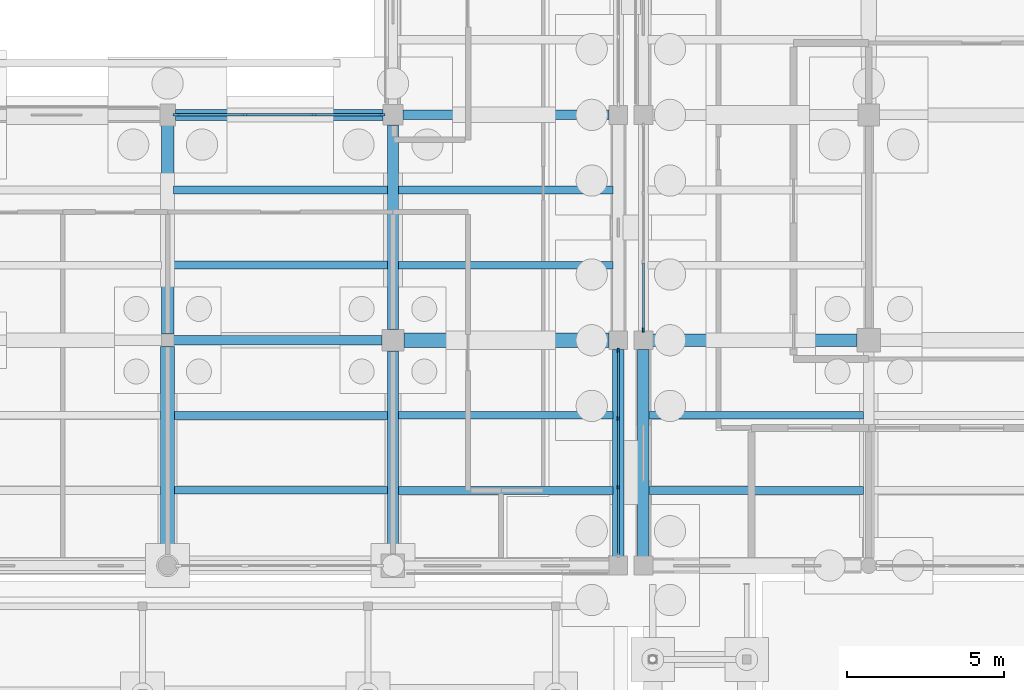
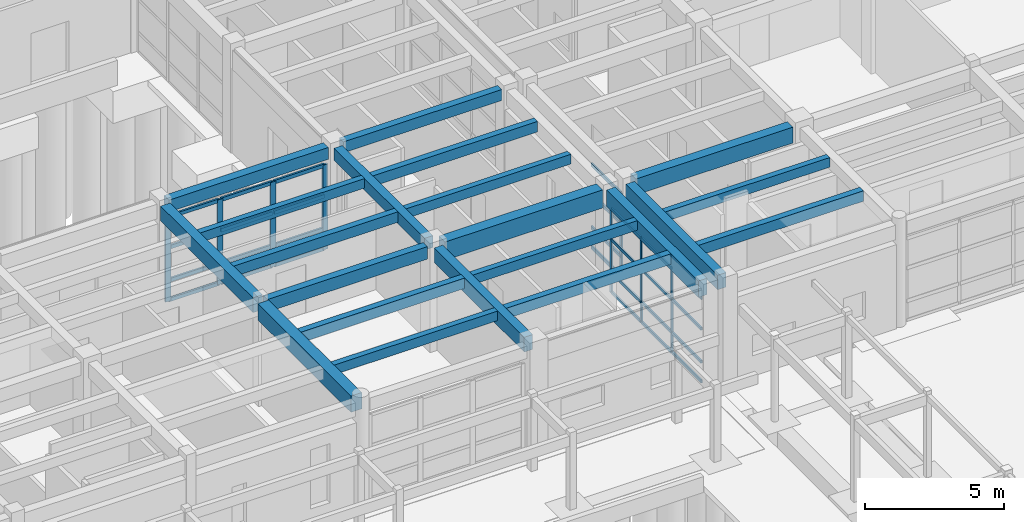
# One storey, part 66 of 143: 36 members, 21 beams, 3 elements without a shape of their own.
"""IFC4 building model written with IfcOpenShell, lengths in metres."""

from ifc_helpers import new_model, si_unit, direction, frame, origin, origin_2d, place, context, subcontext, project, spatial, rectangle, extrude, material, material_profile, profile_set, type_object, element, aggregate, save


model = new_model("IFC4")

# Units and contexts
model_context = context("Model", 3, precision=1e-05, world=origin(), true_north=direction((0.0, 1.0)))
body_context = subcontext(model_context, "Body", "Model", "MODEL_VIEW")
ifc_project = project(units=[si_unit("LENGTHUNIT", "METRE"), si_unit("AREAUNIT", "SQUARE_METRE"), si_unit("VOLUMEUNIT", "CUBIC_METRE"), si_unit("PLANEANGLEUNIT", "RADIAN"), si_unit("MASSUNIT", "GRAM", prefix="KILO")], contexts=[model_context])

# Site, building, storey
site_placement = place(None, origin())
site = spatial("IfcSite", under=ifc_project, at=site_placement, CompositionType="ELEMENT")
building_placement = place(site_placement, origin())
building = spatial("IfcBuilding", under=site, at=building_placement, Name="Steenspoor Specialist Clinic", CompositionType="ELEMENT")
storey_placement = place(building_placement, origin())
storey = spatial("IfcBuildingStorey", under=building, at=storey_placement, Name="L00", CompositionType="ELEMENT", Elevation=0.0)

# Beams
ifc_material_1 = material(Name="Concrete C35/45", Category="concrete")
ifc_material_profile_1 = material_profile(ifc_material_1, rectangle(XDim=0.300048828125, YDim=0.47998046875, at=origin_2d()), Name="RC-BM-300X480")
ifc_profile_set_1 = profile_set([ifc_material_profile_1], Name="Concrete C35/45")
beam_type_1 = type_object("IfcBeamType", Name="BM-RC-300X480", PredefinedType="BEAM", material=ifc_profile_set_1)
beam_1_placement = place(storey_placement, frame((110.320068359375, 79.550048828125, 4.31005859375), z_axis=(1.0, 0.0, 0.0), x_axis=(0.0, 1.0, 0.0)))
element("IfcBeam", 1, at=beam_1_placement, inside=storey, type_object=beam_type_1, Name="BM-V4-L00-X0311", PredefinedType="BEAM", context=body_context, shape_type="SweptSolid", body=[
    extrude(rectangle(XDim=0.300048828125, YDim=0.47998046875, at=origin_2d()), origin(), (0.0, 0.0, 1.0), 6.5849609375),
])
ifc_material_profile_2 = material_profile(ifc_material_1, rectangle(XDim=0.300048828125, YDim=0.550048828125, at=origin_2d()), Name="RC-BM-300X550")
ifc_profile_set_2 = profile_set([ifc_material_profile_2], Name="Concrete C35/45")
beam_type_2 = type_object("IfcBeamType", Name="BM-RC-300X550", PredefinedType="BEAM", material=ifc_profile_set_2)
beam_2_placement = place(storey_placement, frame((102.9951171875, 72.35009765625, 4.27490234375), z_axis=(1.0, 0.0, 0.0), x_axis=(0.0, 1.0, 0.0)))
element("IfcBeam", 2, at=beam_2_placement, inside=storey, type_object=beam_type_2, Name="BM-V4-L00-X0301", PredefinedType="BEAM", context=body_context, shape_type="SweptSolid", body=[
    extrude(rectangle(XDim=0.300048828125, YDim=0.550048828125, at=origin_2d()), origin(), (0.0, 0.0, 1.0), 6.659912109375),
])
ifc_material_profile_3 = material_profile(ifc_material_1, rectangle(XDim=0.35009765625, YDim=0.52001953125, at=origin_2d()), Name="RC-BM-350X520")
ifc_profile_set_3 = profile_set([ifc_material_profile_3], Name="Concrete C35/45")
beam_type_3 = type_object("IfcBeamType", Name="BM-RC-350X520", PredefinedType="BEAM", material=ifc_profile_set_3)
beam_3_placement = place(storey_placement, frame((103.044921875, 79.550048828125, 4.2900390625), z_axis=(1.0, 0.0, 0.0), x_axis=(0.0, 1.0, 0.0)))
element("IfcBeam", 3, at=beam_3_placement, inside=storey, type_object=beam_type_3, Name="BM-V4-L00-X0310", PredefinedType="BEAM", context=body_context, shape_type="SweptSolid", body=[
    extrude(rectangle(XDim=0.35009765625, YDim=0.52001953125, at=origin_2d()), origin(), (0.0, 0.0, 1.0), 6.635009765625),
])
beam_4_placement = place(storey_placement, frame((110.0, 72.695068359375, 4.2900390625), z_axis=(0.0, 1.0, 0.0), x_axis=(-1.0, 0.0, 0.0)))
element("IfcBeam", 4, at=beam_4_placement, inside=storey, type_object=beam_type_3, Name="BM-V4-L00-Y0386", PredefinedType="BEAM", context=body_context, shape_type="SweptSolid", body=[
    extrude(rectangle(XDim=0.35009765625, YDim=0.52001953125, at=origin_2d()), origin(), (0.0, 0.0, 1.0), 6.534912109375),
])
ifc_material_profile_4 = material_profile(ifc_material_1, rectangle(XDim=0.35009765625, YDim=0.64990234375, at=origin_2d()), Name="RC-BM-350X650")
ifc_profile_set_4 = profile_set([ifc_material_profile_4], Name="Concrete C35/45")
beam_type_4 = type_object("IfcBeamType", Name="BM-RC-350X650", PredefinedType="BEAM", material=ifc_profile_set_4)
beam_5_placement = place(storey_placement, frame((110.0, 65.52001953125, 4.22509765625), z_axis=(0.0, 1.0, 0.0), x_axis=(-1.0, 0.0, 0.0)))
element("IfcBeam", 5, at=beam_5_placement, inside=storey, type_object=beam_type_4, Name="BM-V4-L00-Y0385", PredefinedType="BEAM", context=body_context, shape_type="SweptSolid", body=[
    extrude(rectangle(XDim=0.35009765625, YDim=0.64990234375, at=origin_2d()), origin(), (0.0, 0.0, 1.0), 6.48486328125),
])
ifc_material_profile_5 = material_profile(ifc_material_1, rectangle(XDim=0.39990234375, YDim=0.64990234375, at=origin_2d()), Name="RC-BM-400X650")
ifc_profile_set_5 = profile_set([ifc_material_profile_5], Name="Concrete C35/45")
beam_type_5 = type_object("IfcBeamType", Name="BM-RC-400X650", PredefinedType="BEAM", material=ifc_profile_set_5)
beam_6_placement = place(storey_placement, frame((102.800048828125, 72.544921875, 4.22509765625), z_axis=(0.0, 1.0, 0.0), x_axis=(-1.0, 0.0, 0.0)))
element("IfcBeam", 6, at=beam_6_placement, inside=storey, type_object=beam_type_5, Name="BM-V4-L00-Y0382", PredefinedType="BEAM", context=body_context, shape_type="SweptSolid", body=[
    extrude(rectangle(XDim=0.39990234375, YDim=0.64990234375, at=origin_2d()), origin(), (0.0, 0.0, 1.0), 6.66015625),
])
ifc_material_profile_6 = material_profile(ifc_material_1, rectangle(XDim=0.39990234375, YDim=0.699951171875, at=origin_2d()), Name="RC-BM-400X700")
ifc_profile_set_6 = profile_set([ifc_material_profile_6], Name="Concrete C35/45")
beam_type_6 = type_object("IfcBeamType", Name="BM-RC-400X700", PredefinedType="BEAM", material=ifc_profile_set_6)
beam_7_placement = place(storey_placement, frame((118.294921875, 72.35009765625, 4.169921875), z_axis=(1.0, 0.0, 0.0), x_axis=(0.0, 1.0, 0.0)))
element("IfcBeam", 7, at=beam_7_placement, inside=storey, type_object=beam_type_6, Name="BM-V6-L00-X1362", PredefinedType="BEAM", context=body_context, shape_type="SweptSolid", body=[
    extrude(rectangle(XDim=0.39990234375, YDim=0.699951171875, at=origin_2d()), origin(), (0.0, 0.0, 1.0), 6.53515625),
])
ifc_material_profile_7 = material_profile(ifc_material_1, rectangle(XDim=0.449951171875, YDim=0.719970703125, at=origin_2d()), Name="RC-BM-450X720")
ifc_profile_set_7 = profile_set([ifc_material_profile_7], Name="Concrete C35/45")
beam_type_7 = type_object("IfcBeamType", Name="BM-RC-450X720", PredefinedType="BEAM", material=ifc_profile_set_7)
beam_8_placement = place(storey_placement, frame((102.800048828125, 65.445068359375, 4.18994140625), z_axis=(0.0, 1.0, 0.0), x_axis=(-1.0, 0.0, 0.0)))
element("IfcBeam", 8, at=beam_8_placement, inside=storey, type_object=beam_type_7, Name="BM-V4-L00-Y0381", PredefinedType="BEAM", context=body_context, shape_type="SweptSolid", body=[
    extrude(rectangle(XDim=0.449951171875, YDim=0.719970703125, at=origin_2d()), origin(), (0.0, 0.0, 1.0), 6.7099609375),
])
ifc_material_profile_8 = material_profile(ifc_material_1, rectangle(XDim=0.449951171875, YDim=0.800048828125, at=origin_2d()), Name="RC-BM-450X800")
ifc_profile_set_8 = profile_set([ifc_material_profile_8], Name="Concrete C35/45")
beam_type_8 = type_object("IfcBeamType", Name="BM-RC-450X800", PredefinedType="BEAM", material=ifc_profile_set_8)
beam_9_placement = place(storey_placement, frame((110.344970703125, 72.35009765625, 4.14990234375), z_axis=(1.0, 0.0, 0.0), x_axis=(0.0, 1.0, 0.0)))
element("IfcBeam", 9, at=beam_9_placement, inside=storey, type_object=beam_type_8, Name="BM-V4-L00-X0302", PredefinedType="BEAM", context=body_context, shape_type="SweptSolid", body=[
    extrude(rectangle(XDim=0.449951171875, YDim=0.800048828125, at=origin_2d()), origin(), (0.0, 0.0, 1.0), 6.56005859375),
])

# Curtain wall, members
ifc_material_2 = material(Name="Thermally broken aluminium and low-emissivity glass", Category="aluminium")
curtain_wall_type_1 = type_object("IfcCurtainWallType", Name="CW-L00-660X415", PredefinedType="USERDEFINED", material=ifc_material_2)
curtain_wall_1_placement = place(storey_placement, origin())
curtain_wall_1 = element("IfcCurtainWall", 10, at=curtain_wall_1_placement, inside=storey, type_object=curtain_wall_type_1, Name="Unitised Curtain Wall CW-V4-L00-052", ObjectType="UNITISED GLAZING", PredefinedType="USERDEFINED")
ifc_material_3 = material(Name="Thermally broken aluminium 6063-T6", Category="aluminium")
ifc_material_profile_9 = material_profile(ifc_material_3, rectangle(XDim=0.06005859375, YDim=0.135009765625, at=origin_2d()), Name="CWM-60X135")
ifc_profile_set_9 = profile_set([ifc_material_profile_9], Name="Thermally broken aluminium 6063-T6")
member_type_1 = type_object("IfcMemberType", Name="CW-MULL-60X135", PredefinedType="MULLION", material=ifc_profile_set_9)
member_1_placement = place(storey_placement, frame((117.199951171875, 72.02001953125, 0.0), z_axis=(0.0, 0.0, 1.0), x_axis=(1.0, 0.0, 0.0)))
member_1 = element("IfcMember", 11, at=member_1_placement, type_object=member_type_1, Name="CW-04 mullion 1", PredefinedType="MULLION", context=body_context, shape_type="SweptSolid", body=[
    extrude(rectangle(XDim=0.06005859375, YDim=0.135009765625, at=origin_2d()), origin(), (0.0, 0.0, 1.0), 3.72998046875),
])
member_2_placement = place(storey_placement, frame((117.199951171875, 69.85009765625, 0.0), z_axis=(0.0, 0.0, 1.0), x_axis=(1.0, 0.0, 0.0)))
member_2 = element("IfcMember", 12, at=member_2_placement, type_object=member_type_1, Name="CW-04 mullion 2", PredefinedType="MULLION", context=body_context, shape_type="SweptSolid", body=[
    extrude(rectangle(XDim=0.06005859375, YDim=0.135009765625, at=origin_2d()), origin(), (0.0, 0.0, 1.0), 3.72998046875),
])
member_3_placement = place(storey_placement, frame((117.199951171875, 67.64990234375, 0.0), z_axis=(0.0, 0.0, 1.0), x_axis=(1.0, 0.0, 0.0)))
member_3 = element("IfcMember", 13, at=member_3_placement, type_object=member_type_1, Name="CW-04 mullion 3", PredefinedType="MULLION", context=body_context, shape_type="SweptSolid", body=[
    extrude(rectangle(XDim=0.06005859375, YDim=0.135009765625, at=origin_2d()), origin(), (0.0, 0.0, 1.0), 3.72998046875),
])

# Curtain wall, member
curtain_wall_type_2 = type_object("IfcCurtainWallType", Name="CW-WLK-360X340", PredefinedType="USERDEFINED", material=ifc_material_2)
curtain_wall_2_placement = place(storey_placement, origin())
curtain_wall_2 = element("IfcCurtainWall", 14, at=curtain_wall_2_placement, inside=storey, type_object=curtain_wall_type_2, Name="Unitised Curtain Wall CW-V6-L00-166", ObjectType="UNITISED GLAZING", PredefinedType="USERDEFINED")
member_4_placement = place(storey_placement, frame((118.0, 72.679931640625, 0.0), z_axis=(0.0, 0.0, 1.0), x_axis=(-1.0, 0.0, 0.0)))
member_4 = element("IfcMember", 15, at=member_4_placement, type_object=member_type_1, Name="CW-22 mullion 1", PredefinedType="MULLION", context=body_context, shape_type="SweptSolid", body=[
    extrude(rectangle(XDim=0.06005859375, YDim=0.135009765625, at=origin_2d()), origin(), (0.0, 0.0, 1.0), 3.699951171875),
])

# Curtain wall, members
curtain_wall_type_3 = type_object("IfcCurtainWallType", Name="CW-TYP-480X355", PredefinedType="USERDEFINED", material=ifc_material_2)
curtain_wall_3_placement = place(storey_placement, origin())
curtain_wall_3 = element("IfcCurtainWall", 16, at=curtain_wall_3_placement, inside=storey, type_object=curtain_wall_type_3, Name="Unitised Curtain Wall CW-V4-L00-060", ObjectType="UNITISED GLAZING", PredefinedType="USERDEFINED")
ifc_material_profile_10 = material_profile(ifc_material_3, rectangle(XDim=0.080078125, YDim=0.219970703125, at=origin_2d()), Name="CWM-80X220")
ifc_profile_set_10 = profile_set([ifc_material_profile_10], Name="Thermally broken aluminium 6063-T6")
member_type_2 = type_object("IfcMemberType", Name="CW-MULL-80X220", PredefinedType="MULLION", material=ifc_profile_set_10)
member_5_placement = place(storey_placement, frame((103.090087890625, 79.550048828125, 0.0), z_axis=(0.0, 0.0, 1.0), x_axis=(0.0, 1.0, 0.0)))
member_5 = element("IfcMember", 17, at=member_5_placement, type_object=member_type_2, Name="CW-12 mullion 1", PredefinedType="MULLION", context=body_context, shape_type="SweptSolid", body=[
    extrude(rectangle(XDim=0.080078125, YDim=0.219970703125, at=origin_2d()), origin(), (0.0, 0.0, 1.0), 3.72998046875),
])
member_6_placement = place(storey_placement, frame((105.25830078125, 79.550048828125, 0.0), z_axis=(0.0, 0.0, 1.0), x_axis=(0.0, 1.0, 0.0)))
member_6 = element("IfcMember", 18, at=member_6_placement, type_object=member_type_2, Name="CW-12 mullion 2", PredefinedType="MULLION", context=body_context, shape_type="SweptSolid", body=[
    extrude(rectangle(XDim=0.080078125, YDim=0.219970703125, at=origin_2d()), origin(), (0.0, 0.0, 1.0), 3.72998046875),
])
member_7_placement = place(storey_placement, frame((107.466552734375, 79.550048828125, 0.0), z_axis=(0.0, 0.0, 1.0), x_axis=(0.0, 1.0, 0.0)))
member_7 = element("IfcMember", 19, at=member_7_placement, type_object=member_type_2, Name="CW-12 mullion 3", PredefinedType="MULLION", context=body_context, shape_type="SweptSolid", body=[
    extrude(rectangle(XDim=0.080078125, YDim=0.219970703125, at=origin_2d()), origin(), (0.0, 0.0, 1.0), 3.72998046875),
])
member_8_placement = place(storey_placement, frame((109.635009765625, 79.550048828125, 0.0), z_axis=(0.0, 0.0, 1.0), x_axis=(0.0, 1.0, 0.0)))
member_8 = element("IfcMember", 20, at=member_8_placement, type_object=member_type_2, Name="CW-12 mullion 4", PredefinedType="MULLION", context=body_context, shape_type="SweptSolid", body=[
    extrude(rectangle(XDim=0.080078125, YDim=0.219970703125, at=origin_2d()), origin(), (0.0, 0.0, 1.0), 3.72998046875),
])

# Member
ifc_material_profile_11 = material_profile(ifc_material_3, rectangle(XDim=0.06494140625, YDim=0.1298828125, at=origin_2d()), Name="CWT-65X130")
ifc_profile_set_11 = profile_set([ifc_material_profile_11], Name="Thermally broken aluminium 6063-T6")
member_type_3 = type_object("IfcMemberType", Name="CW-TRAN-65X130", PredefinedType="USERDEFINED", material=ifc_profile_set_11)
member_9_placement = place(storey_placement, frame((117.199951171875, 71.989990234375, 0.032470703125), z_axis=(0.0, -1.0, 0.0), x_axis=(1.0, 0.0, 0.0)))
member_9 = element("IfcMember", 21, at=member_9_placement, type_object=member_type_3, Name="CW-04 transom 1.1", ObjectType="TRANSOM", PredefinedType="USERDEFINED", context=body_context, shape_type="SweptSolid", body=[
    extrude(rectangle(XDim=0.06494140625, YDim=0.1298828125, at=origin_2d()), origin(), (0.0, 0.0, 1.0), 2.110107421875),
])

member_10_placement = place(storey_placement, frame((117.199951171875, 71.989990234375, 0.89990234375), z_axis=(0.0, -1.0, 0.0), x_axis=(1.0, 0.0, 0.0)))
member_10 = element("IfcMember", 22, at=member_10_placement, type_object=member_type_3, Name="CW-04 transom 1.2", ObjectType="TRANSOM", PredefinedType="USERDEFINED", context=body_context, shape_type="SweptSolid", body=[
    extrude(rectangle(XDim=0.06494140625, YDim=0.1298828125, at=origin_2d()), origin(), (0.0, 0.0, 1.0), 2.110107421875),
])

member_11_placement = place(storey_placement, frame((117.199951171875, 71.989990234375, 2.35009765625), z_axis=(0.0, -1.0, 0.0), x_axis=(1.0, 0.0, 0.0)))
member_11 = element("IfcMember", 23, at=member_11_placement, type_object=member_type_3, Name="CW-04 transom 1.3", ObjectType="TRANSOM", PredefinedType="USERDEFINED", context=body_context, shape_type="SweptSolid", body=[
    extrude(rectangle(XDim=0.06494140625, YDim=0.1298828125, at=origin_2d()), origin(), (0.0, 0.0, 1.0), 2.110107421875),
])

member_12_placement = place(storey_placement, frame((117.199951171875, 71.989990234375, 3.697509765625), z_axis=(0.0, -1.0, 0.0), x_axis=(1.0, 0.0, 0.0)))
member_12 = element("IfcMember", 24, at=member_12_placement, type_object=member_type_3, Name="CW-04 transom 1.4", ObjectType="TRANSOM", PredefinedType="USERDEFINED", context=body_context, shape_type="SweptSolid", body=[
    extrude(rectangle(XDim=0.06494140625, YDim=0.1298828125, at=origin_2d()), origin(), (0.0, 0.0, 1.0), 2.110107421875),
])

member_13_placement = place(storey_placement, frame((117.199951171875, 69.820068359375, 0.032470703125), z_axis=(0.0, -1.0, 0.0), x_axis=(1.0, 0.0, 0.0)))
member_13 = element("IfcMember", 25, at=member_13_placement, type_object=member_type_3, Name="CW-04 transom 2.1", ObjectType="TRANSOM", PredefinedType="USERDEFINED", context=body_context, shape_type="SweptSolid", body=[
    extrude(rectangle(XDim=0.06494140625, YDim=0.1298828125, at=origin_2d()), origin(), (0.0, 0.0, 1.0), 2.14013671875),
])

member_14_placement = place(storey_placement, frame((117.199951171875, 69.820068359375, 0.89990234375), z_axis=(0.0, -1.0, 0.0), x_axis=(1.0, 0.0, 0.0)))
member_14 = element("IfcMember", 26, at=member_14_placement, type_object=member_type_3, Name="CW-04 transom 2.2", ObjectType="TRANSOM", PredefinedType="USERDEFINED", context=body_context, shape_type="SweptSolid", body=[
    extrude(rectangle(XDim=0.06494140625, YDim=0.1298828125, at=origin_2d()), origin(), (0.0, 0.0, 1.0), 2.14013671875),
])

member_15_placement = place(storey_placement, frame((117.199951171875, 69.820068359375, 2.35009765625), z_axis=(0.0, -1.0, 0.0), x_axis=(1.0, 0.0, 0.0)))
member_15 = element("IfcMember", 27, at=member_15_placement, type_object=member_type_3, Name="CW-04 transom 2.3", ObjectType="TRANSOM", PredefinedType="USERDEFINED", context=body_context, shape_type="SweptSolid", body=[
    extrude(rectangle(XDim=0.06494140625, YDim=0.1298828125, at=origin_2d()), origin(), (0.0, 0.0, 1.0), 2.14013671875),
])

member_16_placement = place(storey_placement, frame((117.199951171875, 69.820068359375, 3.697509765625), z_axis=(0.0, -1.0, 0.0), x_axis=(1.0, 0.0, 0.0)))
member_16 = element("IfcMember", 28, at=member_16_placement, type_object=member_type_3, Name="CW-04 transom 2.4", ObjectType="TRANSOM", PredefinedType="USERDEFINED", context=body_context, shape_type="SweptSolid", body=[
    extrude(rectangle(XDim=0.06494140625, YDim=0.1298828125, at=origin_2d()), origin(), (0.0, 0.0, 1.0), 2.14013671875),
])

member_17_placement = place(storey_placement, frame((117.199951171875, 67.6201171875, 0.032470703125), z_axis=(0.0, -1.0, 0.0), x_axis=(1.0, 0.0, 0.0)))
member_17 = element("IfcMember", 29, at=member_17_placement, type_object=member_type_3, Name="CW-04 transom 3.1", ObjectType="TRANSOM", PredefinedType="USERDEFINED", context=body_context, shape_type="SweptSolid", body=[
    extrude(rectangle(XDim=0.06494140625, YDim=0.1298828125, at=origin_2d()), origin(), (0.0, 0.0, 1.0), 2.110107421875),
])

member_18_placement = place(storey_placement, frame((117.199951171875, 67.6201171875, 0.89990234375), z_axis=(0.0, -1.0, 0.0), x_axis=(1.0, 0.0, 0.0)))
member_18 = element("IfcMember", 30, at=member_18_placement, type_object=member_type_3, Name="CW-04 transom 3.2", ObjectType="TRANSOM", PredefinedType="USERDEFINED", context=body_context, shape_type="SweptSolid", body=[
    extrude(rectangle(XDim=0.06494140625, YDim=0.1298828125, at=origin_2d()), origin(), (0.0, 0.0, 1.0), 2.110107421875),
])

member_19_placement = place(storey_placement, frame((117.199951171875, 67.6201171875, 2.35009765625), z_axis=(0.0, -1.0, 0.0), x_axis=(1.0, 0.0, 0.0)))
member_19 = element("IfcMember", 31, at=member_19_placement, type_object=member_type_3, Name="CW-04 transom 3.3", ObjectType="TRANSOM", PredefinedType="USERDEFINED", context=body_context, shape_type="SweptSolid", body=[
    extrude(rectangle(XDim=0.06494140625, YDim=0.1298828125, at=origin_2d()), origin(), (0.0, 0.0, 1.0), 2.110107421875),
])

member_20_placement = place(storey_placement, frame((117.199951171875, 67.6201171875, 3.697509765625), z_axis=(0.0, -1.0, 0.0), x_axis=(1.0, 0.0, 0.0)))
member_20 = element("IfcMember", 32, at=member_20_placement, type_object=member_type_3, Name="CW-04 transom 3.4", ObjectType="TRANSOM", PredefinedType="USERDEFINED", context=body_context, shape_type="SweptSolid", body=[
    extrude(rectangle(XDim=0.06494140625, YDim=0.1298828125, at=origin_2d()), origin(), (0.0, 0.0, 1.0), 2.110107421875),
])

aggregate(curtain_wall_1, [member_1, member_2, member_3, member_9, member_10, member_11, member_12, member_13, member_14, member_15, member_16, member_17, member_18, member_19, member_20])

ifc_material_profile_12 = material_profile(ifc_material_3, rectangle(XDim=0.070068359375, YDim=0.14501953125, at=origin_2d()), Name="CWT-70X145")
ifc_profile_set_12 = profile_set([ifc_material_profile_12], Name="Thermally broken aluminium 6063-T6")
member_type_4 = type_object("IfcMemberType", Name="CW-TRAN-70X145", PredefinedType="USERDEFINED", material=ifc_profile_set_12)
member_21_placement = place(storey_placement, frame((118.0, 72.7099609375, 0.034912109375), z_axis=(0.0, 1.0, 0.0), x_axis=(-1.0, 0.0, 0.0)))
member_21 = element("IfcMember", 33, at=member_21_placement, type_object=member_type_4, Name="CW-22 transom 1.1", ObjectType="TRANSOM", PredefinedType="USERDEFINED", context=body_context, shape_type="SweptSolid", body=[
    extrude(rectangle(XDim=0.070068359375, YDim=0.14501953125, at=origin_2d()), origin(), (0.0, 0.0, 1.0), 2.110107421875),
])

member_22_placement = place(storey_placement, frame((118.0, 72.7099609375, 0.89990234375), z_axis=(0.0, 1.0, 0.0), x_axis=(-1.0, 0.0, 0.0)))
member_22 = element("IfcMember", 34, at=member_22_placement, type_object=member_type_4, Name="CW-22 transom 1.2", ObjectType="TRANSOM", PredefinedType="USERDEFINED", context=body_context, shape_type="SweptSolid", body=[
    extrude(rectangle(XDim=0.070068359375, YDim=0.14501953125, at=origin_2d()), origin(), (0.0, 0.0, 1.0), 2.110107421875),
])

member_23_placement = place(storey_placement, frame((118.0, 72.7099609375, 2.35009765625), z_axis=(0.0, 1.0, 0.0), x_axis=(-1.0, 0.0, 0.0)))
member_23 = element("IfcMember", 35, at=member_23_placement, type_object=member_type_4, Name="CW-22 transom 1.3", ObjectType="TRANSOM", PredefinedType="USERDEFINED", context=body_context, shape_type="SweptSolid", body=[
    extrude(rectangle(XDim=0.070068359375, YDim=0.14501953125, at=origin_2d()), origin(), (0.0, 0.0, 1.0), 2.110107421875),
])

member_24_placement = place(storey_placement, frame((118.0, 72.7099609375, 3.6650390625), z_axis=(0.0, 1.0, 0.0), x_axis=(-1.0, 0.0, 0.0)))
member_24 = element("IfcMember", 36, at=member_24_placement, type_object=member_type_4, Name="CW-22 transom 1.4", ObjectType="TRANSOM", PredefinedType="USERDEFINED", context=body_context, shape_type="SweptSolid", body=[
    extrude(rectangle(XDim=0.070068359375, YDim=0.14501953125, at=origin_2d()), origin(), (0.0, 0.0, 1.0), 2.110107421875),
])

aggregate(curtain_wall_2, [member_4, member_21, member_22, member_23, member_24])

ifc_material_profile_13 = material_profile(ifc_material_3, rectangle(XDim=0.080078125, YDim=0.159912109375, at=origin_2d()), Name="CWT-80X160")
ifc_profile_set_13 = profile_set([ifc_material_profile_13], Name="Thermally broken aluminium 6063-T6")
member_type_5 = type_object("IfcMemberType", Name="CW-TRAN-80X160", PredefinedType="USERDEFINED", material=ifc_profile_set_13)
member_25_placement = place(storey_placement, frame((103.1298828125, 79.550048828125, 0.0400390625), z_axis=(1.0, 0.0, 0.0), x_axis=(0.0, 1.0, 0.0)))
member_25 = element("IfcMember", 37, at=member_25_placement, type_object=member_type_5, Name="CW-12 transom 1.1", ObjectType="TRANSOM", PredefinedType="USERDEFINED", context=body_context, shape_type="SweptSolid", body=[
    extrude(rectangle(XDim=0.080078125, YDim=0.159912109375, at=origin_2d()), origin(), (0.0, 0.0, 1.0), 2.08837890625),
])

member_26_placement = place(storey_placement, frame((103.1298828125, 79.550048828125, 0.89990234375), z_axis=(1.0, 0.0, 0.0), x_axis=(0.0, 1.0, 0.0)))
member_26 = element("IfcMember", 38, at=member_26_placement, type_object=member_type_5, Name="CW-12 transom 1.2", ObjectType="TRANSOM", PredefinedType="USERDEFINED", context=body_context, shape_type="SweptSolid", body=[
    extrude(rectangle(XDim=0.080078125, YDim=0.159912109375, at=origin_2d()), origin(), (0.0, 0.0, 1.0), 2.08837890625),
])

member_27_placement = place(storey_placement, frame((103.1298828125, 79.550048828125, 2.35009765625), z_axis=(1.0, 0.0, 0.0), x_axis=(0.0, 1.0, 0.0)))
member_27 = element("IfcMember", 39, at=member_27_placement, type_object=member_type_5, Name="CW-12 transom 1.3", ObjectType="TRANSOM", PredefinedType="USERDEFINED", context=body_context, shape_type="SweptSolid", body=[
    extrude(rectangle(XDim=0.080078125, YDim=0.159912109375, at=origin_2d()), origin(), (0.0, 0.0, 1.0), 2.08837890625),
])

member_28_placement = place(storey_placement, frame((103.1298828125, 79.550048828125, 3.68994140625), z_axis=(1.0, 0.0, 0.0), x_axis=(0.0, 1.0, 0.0)))
member_28 = element("IfcMember", 40, at=member_28_placement, type_object=member_type_5, Name="CW-12 transom 1.4", ObjectType="TRANSOM", PredefinedType="USERDEFINED", context=body_context, shape_type="SweptSolid", body=[
    extrude(rectangle(XDim=0.080078125, YDim=0.159912109375, at=origin_2d()), origin(), (0.0, 0.0, 1.0), 2.08837890625),
])

member_29_placement = place(storey_placement, frame((105.29833984375, 79.550048828125, 0.0400390625), z_axis=(1.0, 0.0, 0.0), x_axis=(0.0, 1.0, 0.0)))
member_29 = element("IfcMember", 41, at=member_29_placement, type_object=member_type_5, Name="CW-12 transom 2.1", ObjectType="TRANSOM", PredefinedType="USERDEFINED", context=body_context, shape_type="SweptSolid", body=[
    extrude(rectangle(XDim=0.080078125, YDim=0.159912109375, at=origin_2d()), origin(), (0.0, 0.0, 1.0), 2.12841796875),
])

member_30_placement = place(storey_placement, frame((105.29833984375, 79.550048828125, 0.89990234375), z_axis=(1.0, 0.0, 0.0), x_axis=(0.0, 1.0, 0.0)))
member_30 = element("IfcMember", 42, at=member_30_placement, type_object=member_type_5, Name="CW-12 transom 2.2", ObjectType="TRANSOM", PredefinedType="USERDEFINED", context=body_context, shape_type="SweptSolid", body=[
    extrude(rectangle(XDim=0.080078125, YDim=0.159912109375, at=origin_2d()), origin(), (0.0, 0.0, 1.0), 2.12841796875),
])

member_31_placement = place(storey_placement, frame((105.29833984375, 79.550048828125, 2.35009765625), z_axis=(1.0, 0.0, 0.0), x_axis=(0.0, 1.0, 0.0)))
member_31 = element("IfcMember", 43, at=member_31_placement, type_object=member_type_5, Name="CW-12 transom 2.3", ObjectType="TRANSOM", PredefinedType="USERDEFINED", context=body_context, shape_type="SweptSolid", body=[
    extrude(rectangle(XDim=0.080078125, YDim=0.159912109375, at=origin_2d()), origin(), (0.0, 0.0, 1.0), 2.12841796875),
])

member_32_placement = place(storey_placement, frame((105.29833984375, 79.550048828125, 3.68994140625), z_axis=(1.0, 0.0, 0.0), x_axis=(0.0, 1.0, 0.0)))
member_32 = element("IfcMember", 44, at=member_32_placement, type_object=member_type_5, Name="CW-12 transom 2.4", ObjectType="TRANSOM", PredefinedType="USERDEFINED", context=body_context, shape_type="SweptSolid", body=[
    extrude(rectangle(XDim=0.080078125, YDim=0.159912109375, at=origin_2d()), origin(), (0.0, 0.0, 1.0), 2.12841796875),
])

member_33_placement = place(storey_placement, frame((107.506591796875, 79.550048828125, 0.0400390625), z_axis=(1.0, 0.0, 0.0), x_axis=(0.0, 1.0, 0.0)))
member_33 = element("IfcMember", 45, at=member_33_placement, type_object=member_type_5, Name="CW-12 transom 3.1", ObjectType="TRANSOM", PredefinedType="USERDEFINED", context=body_context, shape_type="SweptSolid", body=[
    extrude(rectangle(XDim=0.080078125, YDim=0.159912109375, at=origin_2d()), origin(), (0.0, 0.0, 1.0), 2.08837890625),
])

member_34_placement = place(storey_placement, frame((107.506591796875, 79.550048828125, 0.89990234375), z_axis=(1.0, 0.0, 0.0), x_axis=(0.0, 1.0, 0.0)))
member_34 = element("IfcMember", 46, at=member_34_placement, type_object=member_type_5, Name="CW-12 transom 3.2", ObjectType="TRANSOM", PredefinedType="USERDEFINED", context=body_context, shape_type="SweptSolid", body=[
    extrude(rectangle(XDim=0.080078125, YDim=0.159912109375, at=origin_2d()), origin(), (0.0, 0.0, 1.0), 2.08837890625),
])

member_35_placement = place(storey_placement, frame((107.506591796875, 79.550048828125, 2.35009765625), z_axis=(1.0, 0.0, 0.0), x_axis=(0.0, 1.0, 0.0)))
member_35 = element("IfcMember", 47, at=member_35_placement, type_object=member_type_5, Name="CW-12 transom 3.3", ObjectType="TRANSOM", PredefinedType="USERDEFINED", context=body_context, shape_type="SweptSolid", body=[
    extrude(rectangle(XDim=0.080078125, YDim=0.159912109375, at=origin_2d()), origin(), (0.0, 0.0, 1.0), 2.08837890625),
])

member_36_placement = place(storey_placement, frame((107.506591796875, 79.550048828125, 3.68994140625), z_axis=(1.0, 0.0, 0.0), x_axis=(0.0, 1.0, 0.0)))
member_36 = element("IfcMember", 48, at=member_36_placement, type_object=member_type_5, Name="CW-12 transom 3.4", ObjectType="TRANSOM", PredefinedType="USERDEFINED", context=body_context, shape_type="SweptSolid", body=[
    extrude(rectangle(XDim=0.080078125, YDim=0.159912109375, at=origin_2d()), origin(), (0.0, 0.0, 1.0), 2.08837890625),
])

aggregate(curtain_wall_3, [member_5, member_6, member_7, member_8, member_25, member_26, member_27, member_28, member_29, member_30, member_31, member_32, member_33, member_34, member_35, member_36])

# Beams
ifc_material_profile_14 = material_profile(ifc_material_1, rectangle(XDim=0.239990234375, YDim=0.419921875, at=origin_2d()), Name="RC-JT-240X420")
ifc_profile_set_14 = profile_set([ifc_material_profile_14], Name="Concrete C35/45")
beam_type_9 = type_object("IfcBeamType", Name="JT-RC-240X420", PredefinedType="JOIST", material=ifc_profile_set_14)
beam_10_placement = place(storey_placement, frame((103.02001953125, 67.550048828125, 4.340087890625), z_axis=(1.0, 0.0, 0.0), x_axis=(0.0, 1.0, 0.0)))
element("IfcBeam", 49, at=beam_10_placement, inside=storey, type_object=beam_type_9, Name="JT-V4-L00-0457", PredefinedType="JOIST", context=body_context, shape_type="SweptSolid", body=[
    extrude(rectangle(XDim=0.239990234375, YDim=0.419921875, at=origin_2d()), origin(), (0.0, 0.0, 1.0), 6.81005859375),
])
beam_11_placement = place(storey_placement, frame((102.9951171875, 77.14990234375, 4.340087890625), z_axis=(1.0, 0.0, 0.0), x_axis=(0.0, 1.0, 0.0)))
element("IfcBeam", 50, at=beam_11_placement, inside=storey, type_object=beam_type_9, Name="JT-V4-L00-0460", PredefinedType="JOIST", context=body_context, shape_type="SweptSolid", body=[
    extrude(rectangle(XDim=0.239990234375, YDim=0.419921875, at=origin_2d()), origin(), (0.0, 0.0, 1.0), 6.8349609375),
])
for number, where, z_axis, x_axis, name in (
    (51, (110.169921875, 69.949951171875, 4.340087890625), (1.0, 0.0, 0.0), (0.0, 1.0, 0.0), "JT-V4-L00-0464"),
    (52, (110.169921875, 74.75, 4.340087890625), (1.0, 0.0, 0.0), (0.0, 1.0, 0.0), "JT-V4-L00-0465"),
    (53, (118.175048828125, 69.949951171875, 4.31005859375), (1.0, 0.0, 0.0), (0.0, 1.0, 0.0), "JT-V6-L00-1429"),
):
    element("IfcBeam", number, at=place(storey_placement, frame(where, z_axis=z_axis, x_axis=x_axis)), inside=storey, type_object=beam_type_9, Name=name, PredefinedType="JOIST", context=body_context, shape_type="SweptSolid", body=[
        extrude(rectangle(XDim=0.239990234375, YDim=0.419921875, at=origin_2d()), origin(), (0.0, 0.0, 1.0), 6.85498046875),
    ])
ifc_material_profile_15 = material_profile(ifc_material_1, rectangle(XDim=0.260009765625, YDim=0.4599609375, at=origin_2d()), Name="RC-JT-260X460")
ifc_profile_set_15 = profile_set([ifc_material_profile_15], Name="Concrete C35/45")
beam_type_10 = type_object("IfcBeamType", Name="JT-RC-260X460", PredefinedType="JOIST", material=ifc_profile_set_15)
beam_12_placement = place(storey_placement, frame((103.02001953125, 69.949951171875, 4.320068359375), z_axis=(1.0, 0.0, 0.0), x_axis=(0.0, 1.0, 0.0)))
element("IfcBeam", 54, at=beam_12_placement, inside=storey, type_object=beam_type_10, Name="JT-V4-L00-0458", PredefinedType="JOIST", context=body_context, shape_type="SweptSolid", body=[
    extrude(rectangle(XDim=0.260009765625, YDim=0.4599609375, at=origin_2d()), origin(), (0.0, 0.0, 1.0), 6.81005859375),
])
beam_13_placement = place(storey_placement, frame((102.9951171875, 74.75, 4.320068359375), z_axis=(1.0, 0.0, 0.0), x_axis=(0.0, 1.0, 0.0)))
element("IfcBeam", 55, at=beam_13_placement, inside=storey, type_object=beam_type_10, Name="JT-V4-L00-0459", PredefinedType="JOIST", context=body_context, shape_type="SweptSolid", body=[
    extrude(rectangle(XDim=0.260009765625, YDim=0.4599609375, at=origin_2d()), origin(), (0.0, 0.0, 1.0), 6.8349609375),
])
for number, where, z_axis, x_axis, name in (
    (56, (110.169921875, 67.550048828125, 4.320068359375), (1.0, 0.0, 0.0), (0.0, 1.0, 0.0), "JT-V4-L00-0463"),
    (57, (110.169921875, 77.14990234375, 4.320068359375), (1.0, 0.0, 0.0), (0.0, 1.0, 0.0), "JT-V4-L00-0466"),
    (58, (118.175048828125, 67.550048828125, 4.2900390625), (1.0, 0.0, 0.0), (0.0, 1.0, 0.0), "JT-V6-L00-1428"),
):
    element("IfcBeam", number, at=place(storey_placement, frame(where, z_axis=z_axis, x_axis=x_axis)), inside=storey, type_object=beam_type_10, Name=name, PredefinedType="JOIST", context=body_context, shape_type="SweptSolid", body=[
        extrude(rectangle(XDim=0.260009765625, YDim=0.4599609375, at=origin_2d()), origin(), (0.0, 0.0, 1.0), 6.85498046875),
    ])
ifc_material_profile_16 = material_profile(ifc_material_1, rectangle(XDim=0.360107421875, YDim=0.639892578125, at=origin_2d()), Name="RC-SP-360X640")
ifc_profile_set_16 = profile_set([ifc_material_profile_16], Name="Concrete C35/45")
beam_type_11 = type_object("IfcBeamType", Name="SP-RC-360X640", PredefinedType="SPANDREL", material=ifc_profile_set_16)
beam_14_placement = place(storey_placement, frame((118.0, 65.445068359375, 4.199951171875), z_axis=(0.0, 1.0, 0.0), x_axis=(-1.0, 0.0, 0.0)))
element("IfcBeam", 59, at=beam_14_placement, inside=storey, type_object=beam_type_11, Name="BM-V6-L00-Y1391", PredefinedType="SPANDREL", context=body_context, shape_type="SweptSolid", body=[
    extrude(rectangle(XDim=0.360107421875, YDim=0.639892578125, at=origin_2d()), origin(), (0.0, 0.0, 1.0), 6.60986328125),
])
ifc_material_profile_17 = material_profile(ifc_material_1, rectangle(XDim=0.360107421875, YDim=0.719970703125, at=origin_2d()), Name="RC-SP-360X720")
ifc_profile_set_17 = profile_set([ifc_material_profile_17], Name="Concrete C35/45")
beam_type_12 = type_object("IfcBeamType", Name="SP-RC-360X720", PredefinedType="SPANDREL", material=ifc_profile_set_17)
beam_15_placement = place(storey_placement, frame((117.199951171875, 65.445068359375, 4.18994140625), z_axis=(0.0, 1.0, 0.0), x_axis=(-1.0, 0.0, 0.0)))
element("IfcBeam", 60, at=beam_15_placement, inside=storey, type_object=beam_type_12, Name="BM-V4-L00-Y0391", PredefinedType="SPANDREL", context=body_context, shape_type="SweptSolid", body=[
    extrude(rectangle(XDim=0.360107421875, YDim=0.719970703125, at=origin_2d()), origin(), (0.0, 0.0, 1.0), 6.60986328125),
])

save(model, "model.ifc")
